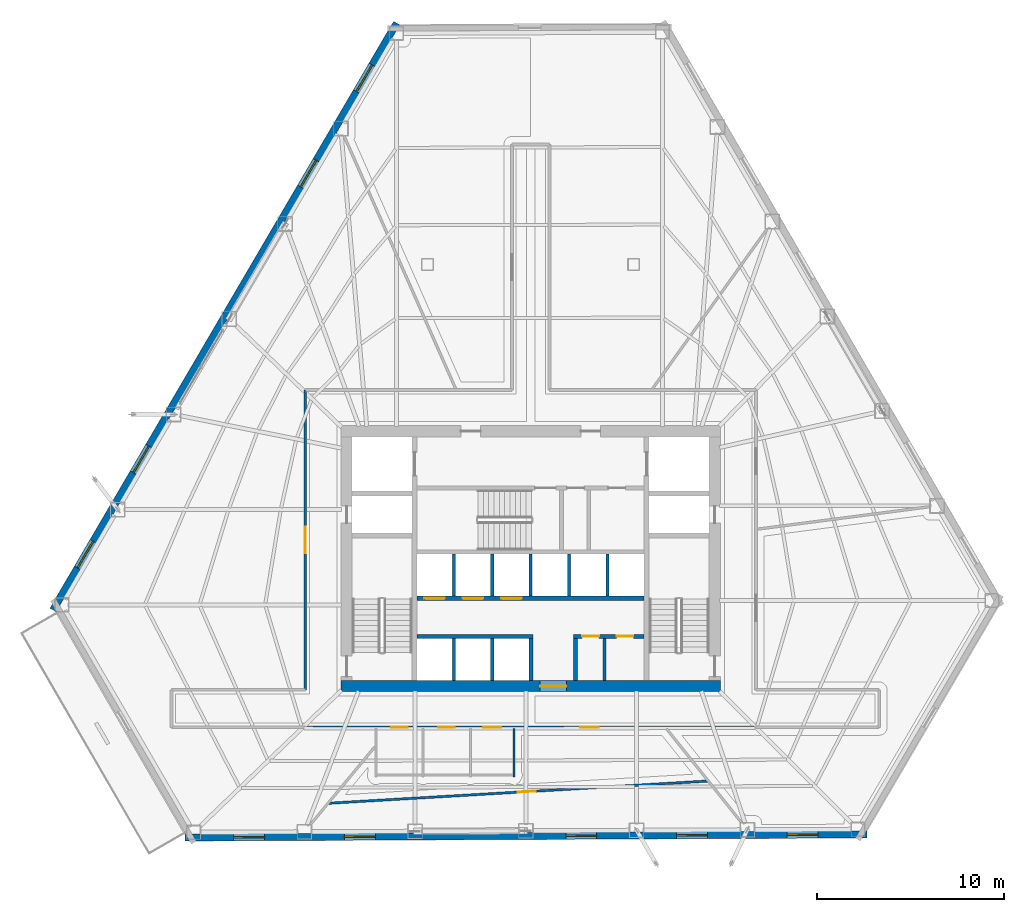
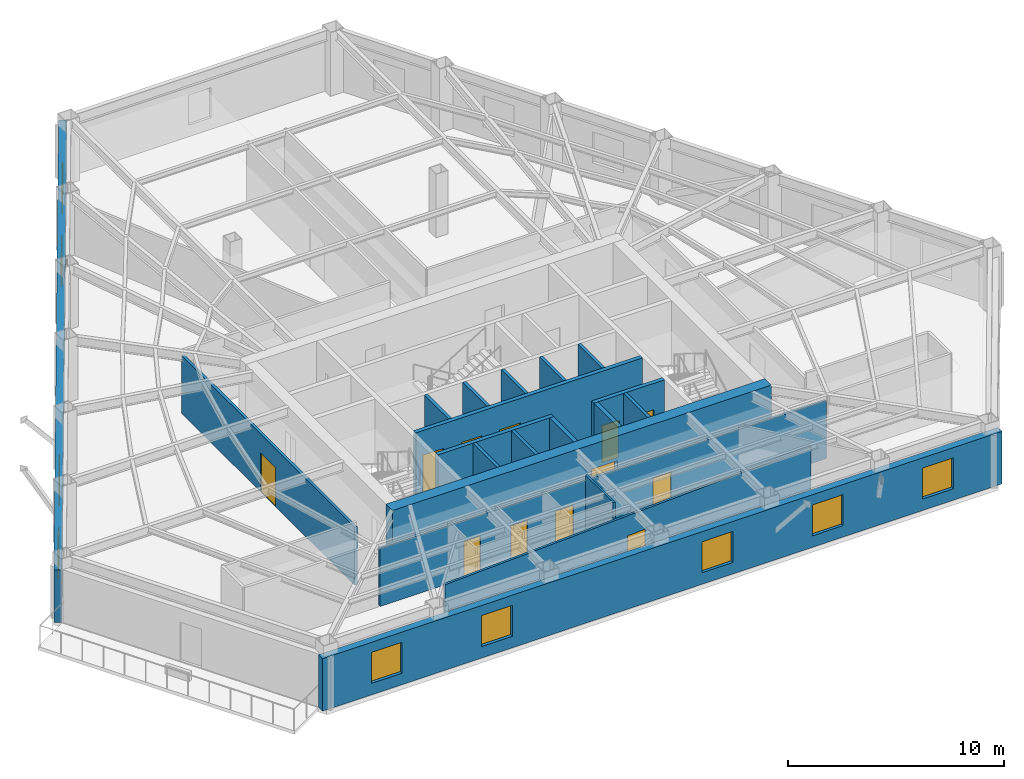
# One storey, part 9 of 15: 20 walls, 12 doors, 9 windows, 21 openings.
"""IFC4 building model written with IfcOpenShell, lengths in metres."""

from ifc_helpers import new_model, si_unit, direction, frame, frame_2d, origin, place, context, subcontext, project, spatial, rectangle, extrude, material, layer, layer_set, type_object, element, fill, save


model = new_model("IFC4")

# Units and contexts
model_context = context("Model", 3, precision=1e-05, world=origin(), true_north=direction((0.0, 1.0)))
body_context = subcontext(model_context, "Body", "Model", "MODEL_VIEW")
ifc_project = project(units=[si_unit("LENGTHUNIT", "METRE"), si_unit("AREAUNIT", "SQUARE_METRE"), si_unit("VOLUMEUNIT", "CUBIC_METRE"), si_unit("PLANEANGLEUNIT", "RADIAN"), si_unit("MASSUNIT", "GRAM", prefix="KILO")], contexts=[model_context])

# Site, building, storey
site_placement = place(None, origin())
site = spatial("IfcSite", under=ifc_project, at=site_placement, CompositionType="ELEMENT")
building_placement = place(site_placement, origin())
building = spatial("IfcBuilding", under=site, at=building_placement, Name="Kavelnor Concourse Tower", CompositionType="ELEMENT")
storey_placement = place(building_placement, frame((0.0, 0.0, 67.60009765625)))
storey = spatial("IfcBuildingStorey", under=building, at=storey_placement, Name="L17", CompositionType="ELEMENT", Elevation=67.60009765625)

# Wall, opening, door
ifc_material_1 = material(Name="Concrete C60/75", Category="concrete")
ifc_layer_1 = layer(ifc_material_1, 0.60009765625, Name="Concrete C60/75")
ifc_layer_set_1 = layer_set([ifc_layer_1], Name="Concrete C60/75")
wall_type_1 = type_object("IfcWallType", Name="WL-CORE-Z1-600", PredefinedType="SOLIDWALL", material=ifc_layer_set_1)
wall_1_placement = place(storey_placement, frame((27.8798828125, 9.300048828125, 0.0), z_axis=(0.0, 0.0, 1.0), x_axis=(1.0, 0.0, 0.0)))
wall_1 = element("IfcWall", 1, at=wall_1_placement, inside=storey, type_object=wall_type_1, Name="L17 Central Core South Shear Wall", PredefinedType="SOLIDWALL", context=body_context, shape_type="SweptSolid", body=[
    extrude(rectangle(XDim=20.240234375, YDim=0.60009765625, at=frame_2d((10.1201171875, 0.0))), origin(), (0.0, 0.0, 1.0), 3.58984375),
])
opening_1_placement = place(wall_1_placement, frame((10.6201171875, 0.0, 0.0)))
opening_1 = element("IfcOpeningElement", 2, at=opening_1_placement, cuts=wall_1, Name="Opening SD-140", PredefinedType="OPENING", context=body_context, shape_type="SweptSolid", body=[
    extrude(rectangle(XDim=1.39990234375, YDim=2.199951171875, at=frame_2d((0.699951171875, 1.10009765625))), frame((0.0, 0.31005859375, 0.0), z_axis=(0.0, -1.0, 0.0), x_axis=(1.0, 0.0, 0.0)), (0.0, 0.0, 1.0), 0.6201171875),
])
ifc_material_2 = material(Name="Solid-core hardwood timber", Category="wood")
door_type_1 = type_object("IfcDoorType", Name="DR-SUITE-ENTRY-1400", OperationType="NOTDEFINED", PredefinedType="DOOR", material=ifc_material_2)
door_1_placement = place(opening_1_placement, origin())
door_1 = element("IfcDoor", 3, at=door_1_placement, inside=storey, type_object=door_type_1, Name="L17 Passenger Lift Lobby Entry Door", OperationType="SINGLE_SWING_RIGHT", OverallHeight=2.199951171875, OverallWidth=1.39990234375, PredefinedType="DOOR", context=body_context, shape_type="SweptSolid", body=[
    extrude(rectangle(XDim=1.39990234375, YDim=2.199951171875, at=frame_2d((0.699951171875, 1.10009765625))), frame((0.0, 0.02490234375, 0.0), z_axis=(0.0, -1.0, 0.0), x_axis=(1.0, 0.0, 0.0)), (0.0, 0.0, 1.0), 0.050048828125),
])
fill(opening_1, door_1)

# Wall, openings, windows
ifc_material_3 = material(Name="Red-ochre clay face brick masonry", Category="masonry")
ifc_layer_2 = layer(ifc_material_3, 0.3798828125, Name="Red-ochre clay face brick masonry")
ifc_layer_set_2 = layer_set([ifc_layer_2], Name="Red-ochre clay face brick masonry")
wall_type_2 = type_object("IfcWallType", Name="WL-EXT-RED-BRICK-PIER-380", PredefinedType="STANDARD", material=ifc_layer_set_2)
wall_2_placement = place(storey_placement, frame((12.512939453125, 13.35693359375, 0.0), z_axis=(0.0, 0.0, 1.0), x_axis=(0.505335851503, 0.862922752734, 0.0)))
wall_2 = element("IfcWall", 4, at=wall_2_placement, inside=storey, type_object=wall_type_2, Name="L17 Exterior Brick Facade Wall E1", PredefinedType="STANDARD", context=body_context, shape_type="SweptSolid", body=[
    extrude(rectangle(XDim=36.29345703125, YDim=0.3798828125, at=frame_2d((18.146728515625, 0.0))), origin(), (0.0, 0.0, 1.0), 2.969970703125),
])
opening_2_placement = place(wall_2_placement, frame((32.049560546875, 0.0, 0.64990234375)))
opening_2 = element("IfcOpeningElement", 5, at=opening_2_placement, cuts=wall_2, Name="Opening W-01", PredefinedType="OPENING", context=body_context, shape_type="SweptSolid", body=[
    extrude(rectangle(XDim=1.64990234375, YDim=1.75, at=frame_2d((0.824951171875, 0.875))), frame((0.0, 0.199951171875, 0.0), z_axis=(0.0, -1.0, 0.0), x_axis=(1.0, 0.0, 0.0)), (0.0, 0.0, 1.0), 0.39990234375),
])
opening_3_placement = place(wall_2_placement, frame((26.159423828125, 0.0, 0.64990234375)))
opening_3 = element("IfcOpeningElement", 6, at=opening_3_placement, cuts=wall_2, Name="Opening W-01", PredefinedType="OPENING", context=body_context, shape_type="SweptSolid", body=[
    extrude(rectangle(XDim=1.64990234375, YDim=1.75, at=frame_2d((0.824951171875, 0.875))), frame((0.0, 0.199951171875, 0.0), z_axis=(0.0, -1.0, 0.0), x_axis=(1.0, 0.0, 0.0)), (0.0, 0.0, 1.0), 0.39990234375),
])
opening_4_placement = place(wall_2_placement, frame((8.489501953125, 0.0, 0.64990234375)))
opening_4 = element("IfcOpeningElement", 7, at=opening_4_placement, cuts=wall_2, Name="Opening W-01", PredefinedType="OPENING", context=body_context, shape_type="SweptSolid", body=[
    extrude(rectangle(XDim=1.64990234375, YDim=1.75, at=frame_2d((0.824951171875, 0.875))), frame((0.0, 0.199951171875, 0.0), z_axis=(0.0, -1.0, 0.0), x_axis=(1.0, 0.0, 0.0)), (0.0, 0.0, 1.0), 0.39990234375),
])
opening_5_placement = place(wall_2_placement, frame((2.599609375, 0.0, 0.64990234375)))
opening_5 = element("IfcOpeningElement", 8, at=opening_5_placement, cuts=wall_2, Name="Opening W-01", PredefinedType="OPENING", context=body_context, shape_type="SweptSolid", body=[
    extrude(rectangle(XDim=1.64990234375, YDim=1.75, at=frame_2d((0.824951171875, 0.875))), frame((0.0, 0.199951171875, 0.0), z_axis=(0.0, -1.0, 0.0), x_axis=(1.0, 0.0, 0.0)), (0.0, 0.0, 1.0), 0.39990234375),
])
ifc_material_4 = material(Name="Double low-E argon insulated glazing", Category="glass")
window_type = type_object("IfcWindowType", Name="WIN-PIER-Z1-1800", PartitioningType="SINGLE_PANEL", PredefinedType="WINDOW", material=ifc_material_4)
window_1_placement = place(opening_2_placement, origin())
window_1 = element("IfcWindow", 9, at=window_1_placement, inside=storey, type_object=window_type, Name="L17 Deep-Set Brick Pier Window F0-B0", OverallHeight=1.75, OverallWidth=1.64990234375, PartitioningType="SINGLE_PANEL", PredefinedType="WINDOW", context=body_context, shape_type="SweptSolid", body=[
    extrude(rectangle(XDim=1.64990234375, YDim=1.75, at=frame_2d((0.824951171875, 0.875))), frame((0.0, 0.030029296875, 0.0), z_axis=(0.0, -1.0, 0.0), x_axis=(1.0, 0.0, 0.0)), (0.0, 0.0, 1.0), 0.06005859375),
])
fill(opening_2, window_1)
window_2_placement = place(opening_3_placement, origin())
window_2 = element("IfcWindow", 10, at=window_2_placement, inside=storey, type_object=window_type, Name="L17 Deep-Set Brick Pier Window F0-B1", OverallHeight=1.75, OverallWidth=1.64990234375, PartitioningType="SINGLE_PANEL", PredefinedType="WINDOW", context=body_context, shape_type="SweptSolid", body=[
    extrude(rectangle(XDim=1.64990234375, YDim=1.75, at=frame_2d((0.824951171875, 0.875))), frame((0.0, 0.030029296875, 0.0), z_axis=(0.0, -1.0, 0.0), x_axis=(1.0, 0.0, 0.0)), (0.0, 0.0, 1.0), 0.06005859375),
])
fill(opening_3, window_2)
window_3_placement = place(opening_4_placement, origin())
window_3 = element("IfcWindow", 11, at=window_3_placement, inside=storey, type_object=window_type, Name="L17 Deep-Set Brick Pier Window F0-B4", OverallHeight=1.75, OverallWidth=1.64990234375, PartitioningType="SINGLE_PANEL", PredefinedType="WINDOW", context=body_context, shape_type="SweptSolid", body=[
    extrude(rectangle(XDim=1.64990234375, YDim=1.75, at=frame_2d((0.824951171875, 0.875))), frame((0.0, 0.030029296875, 0.0), z_axis=(0.0, -1.0, 0.0), x_axis=(1.0, 0.0, 0.0)), (0.0, 0.0, 1.0), 0.06005859375),
])
fill(opening_4, window_3)
window_4_placement = place(opening_5_placement, origin())
window_4 = element("IfcWindow", 12, at=window_4_placement, inside=storey, type_object=window_type, Name="L17 Deep-Set Brick Pier Window F0-B5", OverallHeight=1.75, OverallWidth=1.64990234375, PartitioningType="SINGLE_PANEL", PredefinedType="WINDOW", context=body_context, shape_type="SweptSolid", body=[
    extrude(rectangle(XDim=1.64990234375, YDim=1.75, at=frame_2d((0.824951171875, 0.875))), frame((0.0, 0.030029296875, 0.0), z_axis=(0.0, -1.0, 0.0), x_axis=(1.0, 0.0, 0.0)), (0.0, 0.0, 1.0), 0.06005859375),
])
fill(opening_5, window_4)

wall_3_placement = place(storey_placement, frame((55.94140625, 1.38916015625, 0.0), z_axis=(0.0, 0.0, 1.0), x_axis=(-0.999989840169, -0.004507722052, 0.0)))
wall_3 = element("IfcWall", 13, at=wall_3_placement, inside=storey, type_object=wall_type_2, Name="L17 Exterior Brick Facade Wall E3", PredefinedType="STANDARD", context=body_context, shape_type="SweptSolid", body=[
    extrude(rectangle(XDim=36.39599609375, YDim=0.3798828125, at=frame_2d((18.197998046875, 0.0))), origin(), (0.0, 0.0, 1.0), 2.969970703125),
])
opening_6_placement = place(wall_3_placement, frame((32.13916015625, 0.0, 0.64990234375)))
opening_6 = element("IfcOpeningElement", 14, at=opening_6_placement, cuts=wall_3, Name="Opening W-01", PredefinedType="OPENING", context=body_context, shape_type="SweptSolid", body=[
    extrude(rectangle(XDim=1.64990234375, YDim=1.75, at=frame_2d((0.824951171875, 0.875))), frame((0.0, 0.199951171875, 0.0), z_axis=(0.0, -1.0, 0.0), x_axis=(1.0, 0.0, 0.0)), (0.0, 0.0, 1.0), 0.39990234375),
])
opening_7_placement = place(wall_3_placement, frame((26.231689453125, 0.0, 0.64990234375)))
opening_7 = element("IfcOpeningElement", 15, at=opening_7_placement, cuts=wall_3, Name="Opening W-01", PredefinedType="OPENING", context=body_context, shape_type="SweptSolid", body=[
    extrude(rectangle(XDim=1.64990234375, YDim=1.75, at=frame_2d((0.824951171875, 0.875))), frame((0.0, 0.199951171875, 0.0), z_axis=(0.0, -1.0, 0.0), x_axis=(1.0, 0.0, 0.0)), (0.0, 0.0, 1.0), 0.39990234375),
])
opening_8_placement = place(wall_3_placement, frame((14.4169921875, 0.0, 0.64990234375)))
opening_8 = element("IfcOpeningElement", 16, at=opening_8_placement, cuts=wall_3, Name="Opening W-01", PredefinedType="OPENING", context=body_context, shape_type="SweptSolid", body=[
    extrude(rectangle(XDim=1.64990234375, YDim=1.75, at=frame_2d((0.824951171875, 0.875))), frame((0.0, 0.199951171875, 0.0), z_axis=(0.0, -1.0, 0.0), x_axis=(1.0, 0.0, 0.0)), (0.0, 0.0, 1.0), 0.39990234375),
])
opening_9_placement = place(wall_3_placement, frame((8.509765625, 0.0, 0.64990234375)))
opening_9 = element("IfcOpeningElement", 17, at=opening_9_placement, cuts=wall_3, Name="Opening W-01", PredefinedType="OPENING", context=body_context, shape_type="SweptSolid", body=[
    extrude(rectangle(XDim=1.64990234375, YDim=1.75, at=frame_2d((0.824951171875, 0.875))), frame((0.0, 0.199951171875, 0.0), z_axis=(0.0, -1.0, 0.0), x_axis=(1.0, 0.0, 0.0)), (0.0, 0.0, 1.0), 0.39990234375),
])
opening_10_placement = place(wall_3_placement, frame((2.6025390625, 0.0, 0.64990234375)))
opening_10 = element("IfcOpeningElement", 18, at=opening_10_placement, cuts=wall_3, Name="Opening W-01", PredefinedType="OPENING", context=body_context, shape_type="SweptSolid", body=[
    extrude(rectangle(XDim=1.64990234375, YDim=1.75, at=frame_2d((0.824951171875, 0.875))), frame((0.0, 0.199951171875, 0.0), z_axis=(0.0, -1.0, 0.0), x_axis=(1.0, 0.0, 0.0)), (0.0, 0.0, 1.0), 0.39990234375),
])
window_5_placement = place(opening_6_placement, origin())
window_5 = element("IfcWindow", 19, at=window_5_placement, inside=storey, type_object=window_type, Name="L17 Deep-Set Brick Pier Window F1-B0", OverallHeight=1.75, OverallWidth=1.64990234375, PartitioningType="SINGLE_PANEL", PredefinedType="WINDOW", context=body_context, shape_type="SweptSolid", body=[
    extrude(rectangle(XDim=1.64990234375, YDim=1.75, at=frame_2d((0.824951171875, 0.875))), frame((0.0, 0.030029296875, 0.0), z_axis=(0.0, -1.0, 0.0), x_axis=(1.0, 0.0, 0.0)), (0.0, 0.0, 1.0), 0.06005859375),
])
fill(opening_6, window_5)
window_6_placement = place(opening_7_placement, origin())
window_6 = element("IfcWindow", 20, at=window_6_placement, inside=storey, type_object=window_type, Name="L17 Deep-Set Brick Pier Window F1-B1", OverallHeight=1.75, OverallWidth=1.64990234375, PartitioningType="SINGLE_PANEL", PredefinedType="WINDOW", context=body_context, shape_type="SweptSolid", body=[
    extrude(rectangle(XDim=1.64990234375, YDim=1.75, at=frame_2d((0.824951171875, 0.875))), frame((0.0, 0.030029296875, 0.0), z_axis=(0.0, -1.0, 0.0), x_axis=(1.0, 0.0, 0.0)), (0.0, 0.0, 1.0), 0.06005859375),
])
fill(opening_7, window_6)
window_7_placement = place(opening_8_placement, origin())
window_7 = element("IfcWindow", 21, at=window_7_placement, inside=storey, type_object=window_type, Name="L17 Deep-Set Brick Pier Window F1-B3", OverallHeight=1.75, OverallWidth=1.64990234375, PartitioningType="SINGLE_PANEL", PredefinedType="WINDOW", context=body_context, shape_type="SweptSolid", body=[
    extrude(rectangle(XDim=1.64990234375, YDim=1.75, at=frame_2d((0.824951171875, 0.875))), frame((0.0, 0.030029296875, 0.0), z_axis=(0.0, -1.0, 0.0), x_axis=(1.0, 0.0, 0.0)), (0.0, 0.0, 1.0), 0.06005859375),
])
fill(opening_8, window_7)
window_8_placement = place(opening_9_placement, origin())
window_8 = element("IfcWindow", 22, at=window_8_placement, inside=storey, type_object=window_type, Name="L17 Deep-Set Brick Pier Window F1-B4", OverallHeight=1.75, OverallWidth=1.64990234375, PartitioningType="SINGLE_PANEL", PredefinedType="WINDOW", context=body_context, shape_type="SweptSolid", body=[
    extrude(rectangle(XDim=1.64990234375, YDim=1.75, at=frame_2d((0.824951171875, 0.875))), frame((0.0, 0.030029296875, 0.0), z_axis=(0.0, -1.0, 0.0), x_axis=(1.0, 0.0, 0.0)), (0.0, 0.0, 1.0), 0.06005859375),
])
fill(opening_9, window_8)
window_9_placement = place(opening_10_placement, origin())
window_9 = element("IfcWindow", 23, at=window_9_placement, inside=storey, type_object=window_type, Name="L17 Deep-Set Brick Pier Window F1-B5", OverallHeight=1.75, OverallWidth=1.64990234375, PartitioningType="SINGLE_PANEL", PredefinedType="WINDOW", context=body_context, shape_type="SweptSolid", body=[
    extrude(rectangle(XDim=1.64990234375, YDim=1.75, at=frame_2d((0.824951171875, 0.875))), frame((0.0, 0.030029296875, 0.0), z_axis=(0.0, -1.0, 0.0), x_axis=(1.0, 0.0, 0.0)), (0.0, 0.0, 1.0), 0.06005859375),
])
fill(opening_10, window_9)

# Wall, opening, door
ifc_material_5 = material(Name="Gypsum plasterboard on light-gauge steel studs", Category="steel")
ifc_layer_3 = layer(ifc_material_5, 0.14501953125, Name="Gypsum plasterboard on light-gauge steel studs")
ifc_layer_set_3 = layer_set([ifc_layer_3], Name="Gypsum plasterboard on light-gauge steel studs")
wall_type_3 = type_object("IfcWallType", Name="WL-INT-CORR-145", PredefinedType="PARTITIONING", material=ifc_layer_set_3)
wall_4_placement = place(storey_placement, frame((25.97998046875, 9.10009765625, 0.0), z_axis=(0.0, 0.0, 1.0), x_axis=(0.0, 1.0, 0.0)))
wall_4 = element("IfcWall", 24, at=wall_4_placement, inside=storey, type_object=wall_type_3, Name="L17 Corridor Wall WL-L17-CR-02", PredefinedType="PARTITIONING", context=body_context, shape_type="SweptSolid", body=[
    extrude(rectangle(XDim=16.0, YDim=0.14501953125, at=frame_2d((8.0, 0.0))), origin(), (0.0, 0.0, 1.0), 3.27783203125),
])
opening_11_placement = place(wall_4_placement, frame((7.300048828125, 0.0, 0.0)))
opening_11 = element("IfcOpeningElement", 25, at=opening_11_placement, cuts=wall_4, Name="Opening SD-140", PredefinedType="OPENING", context=body_context, shape_type="SweptSolid", body=[
    extrude(rectangle(XDim=1.39990234375, YDim=2.199951171875, at=frame_2d((0.699951171875, 1.10009765625))), frame((0.0, 0.08251953125, 0.0), z_axis=(0.0, -1.0, 0.0), x_axis=(1.0, 0.0, 0.0)), (0.0, 0.0, 1.0), 0.1650390625),
])
door_2_placement = place(opening_11_placement, origin())
door_2 = element("IfcDoor", 26, at=door_2_placement, inside=storey, type_object=door_type_1, Name="L17 Client Concierge 03 Door", OperationType="SINGLE_SWING_LEFT", OverallHeight=2.199951171875, OverallWidth=1.39990234375, PredefinedType="DOOR", context=body_context, shape_type="SweptSolid", body=[
    extrude(rectangle(XDim=1.39990234375, YDim=2.199951171875, at=frame_2d((0.699951171875, 1.10009765625))), frame((0.0, 0.02490234375, 0.0), z_axis=(0.0, -1.0, 0.0), x_axis=(1.0, 0.0, 0.0)), (0.0, 0.0, 1.0), 0.050048828125),
])
fill(opening_11, door_2)

# Wall, openings, doors
wall_5_placement = place(storey_placement, frame((49.919921875, 7.10009765625, 0.0), z_axis=(0.0, 0.0, 1.0), x_axis=(-1.0, 0.0, 0.0)))
wall_5 = element("IfcWall", 27, at=wall_5_placement, inside=storey, type_object=wall_type_3, Name="L17 Corridor Wall WL-L17-CR-12", PredefinedType="PARTITIONING", context=body_context, shape_type="SweptSolid", body=[
    extrude(rectangle(XDim=23.83984375, YDim=0.14501953125, at=frame_2d((11.919921875, 0.0))), origin(), (0.0, 0.0, 1.0), 3.27783203125),
])
opening_12_placement = place(wall_5_placement, frame((18.47998046875, 0.0, 0.0)))
opening_12 = element("IfcOpeningElement", 28, at=opening_12_placement, cuts=wall_5, Name="Opening WD-088", PredefinedType="OPENING", context=body_context, shape_type="SweptSolid", body=[
    extrude(rectangle(XDim=0.8798828125, YDim=2.10009765625, at=frame_2d((0.43994140625, 1.050048828125))), frame((0.0, 0.08251953125, 0.0), z_axis=(0.0, -1.0, 0.0), x_axis=(1.0, 0.0, 0.0)), (0.0, 0.0, 1.0), 0.1650390625),
])
opening_13_placement = place(wall_5_placement, frame((15.9599609375, 0.0, 0.0)))
opening_13 = element("IfcOpeningElement", 29, at=opening_13_placement, cuts=wall_5, Name="Opening WD-088", PredefinedType="OPENING", context=body_context, shape_type="SweptSolid", body=[
    extrude(rectangle(XDim=0.8798828125, YDim=2.10009765625, at=frame_2d((0.43994140625, 1.050048828125))), frame((0.0, 0.08251953125, 0.0), z_axis=(0.0, -1.0, 0.0), x_axis=(1.0, 0.0, 0.0)), (0.0, 0.0, 1.0), 0.1650390625),
])
opening_14_placement = place(wall_5_placement, frame((13.5, 0.0, 0.0)))
opening_14 = element("IfcOpeningElement", 30, at=opening_14_placement, cuts=wall_5, Name="Opening WD-096", PredefinedType="OPENING", context=body_context, shape_type="SweptSolid", body=[
    extrude(rectangle(XDim=0.9599609375, YDim=2.10009765625, at=frame_2d((0.47998046875, 1.050048828125))), frame((0.0, 0.08251953125, 0.0), z_axis=(0.0, -1.0, 0.0), x_axis=(1.0, 0.0, 0.0)), (0.0, 0.0, 1.0), 0.1650390625),
])
opening_15_placement = place(wall_5_placement, frame((8.293212890625, 0.0, 0.0)))
opening_15 = element("IfcOpeningElement", 31, at=opening_15_placement, cuts=wall_5, Name="Opening OD-098", PredefinedType="OPENING", context=body_context, shape_type="SweptSolid", body=[
    extrude(rectangle(XDim=0.97998046875, YDim=2.14990234375, at=frame_2d((0.489990234375, 1.074951171875))), frame((0.0, 0.08251953125, 0.0), z_axis=(0.0, -1.0, 0.0), x_axis=(1.0, 0.0, 0.0)), (0.0, 0.0, 1.0), 0.1650390625),
])
door_type_2 = type_object("IfcDoorType", Name="DR-OFFICE-980", OperationType="NOTDEFINED", PredefinedType="DOOR", material=ifc_material_2)
door_3_placement = place(opening_15_placement, origin())
door_3 = element("IfcDoor", 32, at=door_3_placement, inside=storey, type_object=door_type_2, Name="L17 Executive Dining Room 04 Door", OperationType="SINGLE_SWING_RIGHT", OverallHeight=2.14990234375, OverallWidth=0.97998046875, PredefinedType="DOOR", context=body_context, shape_type="SweptSolid", body=[
    extrude(rectangle(XDim=0.97998046875, YDim=2.14990234375, at=frame_2d((0.489990234375, 1.074951171875))), frame((0.0, 0.02490234375, 0.0), z_axis=(0.0, -1.0, 0.0), x_axis=(1.0, 0.0, 0.0)), (0.0, 0.0, 1.0), 0.050048828125),
])
fill(opening_15, door_3)
door_type_3 = type_object("IfcDoorType", Name="DR-WC-ACC-960", OperationType="NOTDEFINED", PredefinedType="DOOR", material=ifc_material_2)
door_4_placement = place(opening_14_placement, origin())
door_4 = element("IfcDoor", 33, at=door_4_placement, inside=storey, type_object=door_type_3, Name="L17 Accessible WC Door", OperationType="SINGLE_SWING_LEFT", OverallHeight=2.10009765625, OverallWidth=0.9599609375, PredefinedType="DOOR", context=body_context, shape_type="SweptSolid", body=[
    extrude(rectangle(XDim=0.9599609375, YDim=2.10009765625, at=frame_2d((0.47998046875, 1.050048828125))), frame((0.0, 0.02490234375, 0.0), z_axis=(0.0, -1.0, 0.0), x_axis=(1.0, 0.0, 0.0)), (0.0, 0.0, 1.0), 0.050048828125),
])
fill(opening_14, door_4)
door_type_4 = type_object("IfcDoorType", Name="DR-WC-STD-880", OperationType="NOTDEFINED", PredefinedType="DOOR", material=ifc_material_2)
door_5_placement = place(opening_12_placement, origin())
door_5 = element("IfcDoor", 34, at=door_5_placement, inside=storey, type_object=door_type_4, Name="L17 Male WC Door", OperationType="SINGLE_SWING_LEFT", OverallHeight=2.10009765625, OverallWidth=0.8798828125, PredefinedType="DOOR", context=body_context, shape_type="SweptSolid", body=[
    extrude(rectangle(XDim=0.8798828125, YDim=2.10009765625, at=frame_2d((0.43994140625, 1.050048828125))), frame((0.0, 0.02490234375, 0.0), z_axis=(0.0, -1.0, 0.0), x_axis=(1.0, 0.0, 0.0)), (0.0, 0.0, 1.0), 0.050048828125),
])
fill(opening_12, door_5)
door_6_placement = place(opening_13_placement, origin())
door_6 = element("IfcDoor", 35, at=door_6_placement, inside=storey, type_object=door_type_4, Name="L17 Female WC Door", OperationType="SINGLE_SWING_RIGHT", OverallHeight=2.10009765625, OverallWidth=0.8798828125, PredefinedType="DOOR", context=body_context, shape_type="SweptSolid", body=[
    extrude(rectangle(XDim=0.8798828125, YDim=2.10009765625, at=frame_2d((0.43994140625, 1.050048828125))), frame((0.0, 0.02490234375, 0.0), z_axis=(0.0, -1.0, 0.0), x_axis=(1.0, 0.0, 0.0)), (0.0, 0.0, 1.0), 0.050048828125),
])
fill(opening_13, door_6)

# Walls
ifc_layer_4 = layer(ifc_material_5, 0.1650390625, Name="Gypsum plasterboard on light-gauge steel studs")
ifc_layer_set_4 = layer_set([ifc_layer_4], Name="Gypsum plasterboard on light-gauge steel studs")
wall_type_4 = type_object("IfcWallType", Name="WL-INT-FIRE-165", PredefinedType="PARTITIONING", material=ifc_layer_set_4)
for number, where, z_axis, x_axis, name in (
    (36, (33.89990234375, 9.60009765625, 0.0), (0.0, 0.0, 1.0), (0.0, 1.0, 0.0), "L17 Lift Shaft Divider LP7"),
    (37, (35.949951171875, 9.60009765625, 0.0), (0.0, 0.0, 1.0), (0.0, 1.0, 0.0), "L17 Lift Shaft Divider LP8"),
    (38, (33.89990234375, 14.10009765625, 0.0), (0.0, 0.0, 1.0), (0.0, 1.0, 0.0), "L17 Lift Shaft Divider LP1"),
    (39, (35.949951171875, 14.10009765625, 0.0), (0.0, 0.0, 1.0), (0.0, 1.0, 0.0), "L17 Lift Shaft Divider LP2"),
    (40, (38.0, 14.10009765625, 0.0), (0.0, 0.0, 1.0), (0.0, 1.0, 0.0), "L17 Lift Shaft Divider LP3"),
    (41, (40.050048828125, 14.10009765625, 0.0), (0.0, 0.0, 1.0), (0.0, 1.0, 0.0), "L17 Lift Shaft Divider LP4"),
    (42, (42.10009765625, 14.10009765625, 0.0), (0.0, 0.0, 1.0), (0.0, 1.0, 0.0), "L17 Lift Shaft Divider LP5"),
    (43, (41.949951171875, 9.60009765625, 0.0), (0.0, 0.0, 1.0), (0.0, 1.0, 0.0), "L17 Core WC Partition"),
):
    element("IfcWall", number, at=place(storey_placement, frame(where, z_axis=z_axis, x_axis=x_axis)), inside=storey, type_object=wall_type_4, Name=name, PredefinedType="PARTITIONING", context=body_context, shape_type="SweptSolid", body=[
        extrude(rectangle(XDim=2.239990234375, YDim=0.1650390625, at=frame_2d((1.1201171875, 0.0))), origin(), (0.0, 0.0, 1.0), 3.58984375),
    ])

# Wall, opening, door
ifc_layer_5 = layer(ifc_material_5, 0.125, Name="Gypsum plasterboard on light-gauge steel studs")
ifc_layer_set_5 = layer_set([ifc_layer_5], Name="Gypsum plasterboard on light-gauge steel studs")
wall_type_5 = type_object("IfcWallType", Name="WL-INT-SUITE-125", PredefinedType="PARTITIONING", material=ifc_layer_set_5)
wall_6_placement = place(storey_placement, frame((27.212158203125, 3.048583984375, 0.0), z_axis=(0.0, 0.0, 1.0), x_axis=(0.998290936072, 0.058439772046, 0.0)))
wall_6 = element("IfcWall", 44, at=wall_6_placement, inside=storey, type_object=wall_type_5, Name="L17 Suite Subdivision Partition 04", PredefinedType="PARTITIONING", context=body_context, shape_type="SweptSolid", body=[
    extrude(rectangle(XDim=20.282470703125, YDim=0.125, at=frame_2d((10.14111328125, 0.0))), origin(), (0.0, 0.0, 1.0), 3.27783203125),
])
opening_16_placement = place(wall_6_placement, frame((10.106201171875, 0.0, 0.0)))
opening_16 = element("IfcOpeningElement", 45, at=opening_16_placement, cuts=wall_6, Name="Opening OD-098", PredefinedType="OPENING", context=body_context, shape_type="SweptSolid", body=[
    extrude(rectangle(XDim=0.97998046875, YDim=2.14990234375, at=frame_2d((0.489990234375, 1.074951171875))), frame((0.0, 0.072509765625, 0.0), z_axis=(0.0, -1.0, 0.0), x_axis=(1.0, 0.0, 0.0)), (0.0, 0.0, 1.0), 0.14501953125),
])
door_7_placement = place(opening_16_placement, origin())
door_7 = element("IfcDoor", 46, at=door_7_placement, inside=storey, type_object=door_type_2, Name="L17 Executive Dining Room 05 Door", OperationType="SINGLE_SWING_LEFT", OverallHeight=2.14990234375, OverallWidth=0.97998046875, PredefinedType="DOOR", context=body_context, shape_type="SweptSolid", body=[
    extrude(rectangle(XDim=0.97998046875, YDim=2.14990234375, at=frame_2d((0.489990234375, 1.074951171875))), frame((0.0, 0.02490234375, 0.0), z_axis=(0.0, -1.0, 0.0), x_axis=(1.0, 0.0, 0.0)), (0.0, 0.0, 1.0), 0.050048828125),
])
fill(opening_16, door_7)

# Wall
ifc_layer_6 = layer(ifc_material_5, 0.110107421875, Name="Gypsum plasterboard on light-gauge steel studs")
ifc_layer_set_6 = layer_set([ifc_layer_6], Name="Gypsum plasterboard on light-gauge steel studs")
wall_type_6 = type_object("IfcWallType", Name="WL-INT-WC-110", PredefinedType="PLUMBINGWALL", material=ifc_layer_set_6)
wall_7_placement = place(storey_placement, frame((37.10009765625, 4.449951171875, 0.0), z_axis=(0.0, 0.0, 1.0), x_axis=(0.0, 1.0, 0.0)))
element("IfcWall", 47, at=wall_7_placement, inside=storey, type_object=wall_type_6, Name="L17 Sanitary Partition WL-L17-WC-E", PredefinedType="PLUMBINGWALL", context=body_context, shape_type="SweptSolid", body=[
    extrude(rectangle(XDim=2.580078125, YDim=0.110107421875, at=frame_2d((1.2900390625, 0.0))), origin(), (0.0, 0.0, 1.0), 3.58984375),
])

# Wall, openings, doors
ifc_material_6 = material(Name="Concrete C50/60", Category="concrete")
ifc_layer_7 = layer(ifc_material_6, 0.219970703125, Name="Concrete C50/60")
ifc_layer_set_7 = layer_set([ifc_layer_7], Name="Concrete C50/60")
wall_type_7 = type_object("IfcWallType", Name="WL-SHAFT-220", PredefinedType="SOLIDWALL", material=ifc_layer_set_7)
wall_8_placement = place(storey_placement, frame((31.93994140625, 13.989990234375, 0.0), z_axis=(0.0, 0.0, 1.0), x_axis=(1.0, 0.0, 0.0)))
wall_8 = element("IfcWall", 48, at=wall_8_placement, inside=storey, type_object=wall_type_7, Name="L17 North Lift Row Shaft Wall", PredefinedType="SOLIDWALL", context=body_context, shape_type="SweptSolid", body=[
    extrude(rectangle(XDim=12.1201171875, YDim=0.219970703125, at=frame_2d((6.06005859375, 0.0))), origin(), (0.0, 0.0, 1.0), 3.58984375),
])
opening_17_placement = place(wall_8_placement, frame((0.385009765625, 0.0, 0.0)))
opening_17 = element("IfcOpeningElement", 49, at=opening_17_placement, cuts=wall_8, Name="Opening LD-110", PredefinedType="OPENING", context=body_context, shape_type="SweptSolid", body=[
    extrude(rectangle(XDim=1.10009765625, YDim=2.199951171875, at=frame_2d((0.550048828125, 1.10009765625))), frame((0.0, 0.1201171875, 0.0), z_axis=(0.0, -1.0, 0.0), x_axis=(1.0, 0.0, 0.0)), (0.0, 0.0, 1.0), 0.239990234375),
])
opening_18_placement = place(wall_8_placement, frame((2.43505859375, 0.0, 0.0)))
opening_18 = element("IfcOpeningElement", 50, at=opening_18_placement, cuts=wall_8, Name="Opening LD-110", PredefinedType="OPENING", context=body_context, shape_type="SweptSolid", body=[
    extrude(rectangle(XDim=1.10009765625, YDim=2.199951171875, at=frame_2d((0.550048828125, 1.10009765625))), frame((0.0, 0.1201171875, 0.0), z_axis=(0.0, -1.0, 0.0), x_axis=(1.0, 0.0, 0.0)), (0.0, 0.0, 1.0), 0.239990234375),
])
opening_19_placement = place(wall_8_placement, frame((4.485107421875, 0.0, 0.0)))
opening_19 = element("IfcOpeningElement", 51, at=opening_19_placement, cuts=wall_8, Name="Opening LD-110", PredefinedType="OPENING", context=body_context, shape_type="SweptSolid", body=[
    extrude(rectangle(XDim=1.10009765625, YDim=2.199951171875, at=frame_2d((0.550048828125, 1.10009765625))), frame((0.0, 0.1201171875, 0.0), z_axis=(0.0, -1.0, 0.0), x_axis=(1.0, 0.0, 0.0)), (0.0, 0.0, 1.0), 0.239990234375),
])
ifc_material_7 = material(Name="Steel Grade 350", Category="steel")
door_type_5 = type_object("IfcDoorType", Name="DR-LIFT-SLIDING-1100", OperationType="NOTDEFINED", PredefinedType="DOOR", material=ifc_material_7)
door_8_placement = place(opening_17_placement, origin())
door_8 = element("IfcDoor", 52, at=door_8_placement, inside=storey, type_object=door_type_5, Name="L17 Lift LP1 Landing Door", OperationType="DOUBLE_DOOR_SLIDING", OverallHeight=2.199951171875, OverallWidth=1.10009765625, PredefinedType="DOOR", context=body_context, shape_type="SweptSolid", body=[
    extrude(rectangle(XDim=1.10009765625, YDim=2.199951171875, at=frame_2d((0.550048828125, 1.10009765625))), frame((0.0, 0.02490234375, 0.0), z_axis=(0.0, -1.0, 0.0), x_axis=(1.0, 0.0, 0.0)), (0.0, 0.0, 1.0), 0.050048828125),
])
fill(opening_17, door_8)
door_9_placement = place(opening_18_placement, origin())
door_9 = element("IfcDoor", 53, at=door_9_placement, inside=storey, type_object=door_type_5, Name="L17 Lift LP2 Landing Door", OperationType="DOUBLE_DOOR_SLIDING", OverallHeight=2.199951171875, OverallWidth=1.10009765625, PredefinedType="DOOR", context=body_context, shape_type="SweptSolid", body=[
    extrude(rectangle(XDim=1.10009765625, YDim=2.199951171875, at=frame_2d((0.550048828125, 1.10009765625))), frame((0.0, 0.02490234375, 0.0), z_axis=(0.0, -1.0, 0.0), x_axis=(1.0, 0.0, 0.0)), (0.0, 0.0, 1.0), 0.050048828125),
])
fill(opening_18, door_9)
door_10_placement = place(opening_19_placement, origin())
door_10 = element("IfcDoor", 54, at=door_10_placement, inside=storey, type_object=door_type_5, Name="L17 Lift LP3 Landing Door", OperationType="DOUBLE_DOOR_SLIDING", OverallHeight=2.199951171875, OverallWidth=1.10009765625, PredefinedType="DOOR", context=body_context, shape_type="SweptSolid", body=[
    extrude(rectangle(XDim=1.10009765625, YDim=2.199951171875, at=frame_2d((0.550048828125, 1.10009765625))), frame((0.0, 0.02490234375, 0.0), z_axis=(0.0, -1.0, 0.0), x_axis=(1.0, 0.0, 0.0)), (0.0, 0.0, 1.0), 0.050048828125),
])
fill(opening_19, door_10)

# Wall
wall_9_placement = place(storey_placement, frame((31.93994140625, 11.949951171875, 0.0), z_axis=(0.0, 0.0, 1.0), x_axis=(1.0, 0.0, 0.0)))
element("IfcWall", 55, at=wall_9_placement, inside=storey, type_object=wall_type_7, Name="L17 High-Rise Lift Bank North Wall", PredefinedType="SOLIDWALL", context=body_context, shape_type="SweptSolid", body=[
    extrude(rectangle(XDim=6.18994140625, YDim=0.219970703125, at=frame_2d((3.094970703125, 0.0))), origin(), (0.0, 0.0, 1.0), 3.58984375),
])

# Wall, openings, doors
wall_10_placement = place(storey_placement, frame((40.280029296875, 11.949951171875, 0.0), z_axis=(0.0, 0.0, 1.0), x_axis=(1.0, 0.0, 0.0)))
wall_10 = element("IfcWall", 56, at=wall_10_placement, inside=storey, type_object=wall_type_7, Name="L17 Core South Support North Wall", PredefinedType="SOLIDWALL", context=body_context, shape_type="SweptSolid", body=[
    extrude(rectangle(XDim=3.780029296875, YDim=0.219970703125, at=frame_2d((1.89013671875, 0.0))), origin(), (0.0, 0.0, 1.0), 3.58984375),
])
opening_20_placement = place(wall_10_placement, frame((0.469970703125, 0.0, 0.0)))
opening_20 = element("IfcOpeningElement", 57, at=opening_20_placement, cuts=wall_10, Name="Opening FD-090", PredefinedType="OPENING", context=body_context, shape_type="SweptSolid", body=[
    extrude(rectangle(XDim=0.89990234375, YDim=2.10009765625, at=frame_2d((0.449951171875, 1.050048828125))), frame((0.0, 0.1201171875, 0.0), z_axis=(0.0, -1.0, 0.0), x_axis=(1.0, 0.0, 0.0)), (0.0, 0.0, 1.0), 0.239990234375),
])
opening_21_placement = place(wall_10_placement, frame((2.300048828125, 0.0, 0.0)))
opening_21 = element("IfcOpeningElement", 58, at=opening_21_placement, cuts=wall_10, Name="Opening FD-090", PredefinedType="OPENING", context=body_context, shape_type="SweptSolid", body=[
    extrude(rectangle(XDim=0.89990234375, YDim=2.10009765625, at=frame_2d((0.449951171875, 1.050048828125))), frame((0.0, 0.1201171875, 0.0), z_axis=(0.0, -1.0, 0.0), x_axis=(1.0, 0.0, 0.0)), (0.0, 0.0, 1.0), 0.239990234375),
])
door_type_6 = type_object("IfcDoorType", Name="DR-RISER-FIRE-900", OperationType="NOTDEFINED", PredefinedType="DOOR", material=ifc_material_7)
door_11_placement = place(opening_20_placement, origin())
door_11 = element("IfcDoor", 59, at=door_11_placement, inside=storey, type_object=door_type_6, Name="L17 Staff WC Door", OperationType="SINGLE_SWING_LEFT", OverallHeight=2.10009765625, OverallWidth=0.89990234375, PredefinedType="DOOR", context=body_context, shape_type="SweptSolid", body=[
    extrude(rectangle(XDim=0.89990234375, YDim=2.10009765625, at=frame_2d((0.449951171875, 1.050048828125))), frame((0.0, 0.02490234375, 0.0), z_axis=(0.0, -1.0, 0.0), x_axis=(1.0, 0.0, 0.0)), (0.0, 0.0, 1.0), 0.050048828125),
])
fill(opening_20, door_11)
door_12_placement = place(opening_21_placement, origin())
door_12 = element("IfcDoor", 60, at=door_12_placement, inside=storey, type_object=door_type_6, Name="L17 Core Comms Door", OperationType="SINGLE_SWING_RIGHT", OverallHeight=2.10009765625, OverallWidth=0.89990234375, PredefinedType="DOOR", context=body_context, shape_type="SweptSolid", body=[
    extrude(rectangle(XDim=0.89990234375, YDim=2.10009765625, at=frame_2d((0.449951171875, 1.050048828125))), frame((0.0, 0.02490234375, 0.0), z_axis=(0.0, -1.0, 0.0), x_axis=(1.0, 0.0, 0.0)), (0.0, 0.0, 1.0), 0.050048828125),
])
fill(opening_21, door_12)

# Walls
for number, where, z_axis, x_axis, name in (
    (61, (38.02001953125, 9.60009765625, 0.0), (0.0, 0.0, 1.0), (0.0, 1.0, 0.0), "L17 Lift Lobby Throat West Wall"),
    (62, (40.389892578125, 9.60009765625, 0.0), (0.0, 0.0, 1.0), (0.0, 1.0, 0.0), "L17 Lift Lobby Throat East Wall"),
):
    element("IfcWall", number, at=place(storey_placement, frame(where, z_axis=z_axis, x_axis=x_axis)), inside=storey, type_object=wall_type_7, Name=name, PredefinedType="SOLIDWALL", context=body_context, shape_type="SweptSolid", body=[
        extrude(rectangle(XDim=2.239990234375, YDim=0.219970703125, at=frame_2d((1.1201171875, 0.0))), origin(), (0.0, 0.0, 1.0), 3.58984375),
    ])

save(model, "model.ifc")
